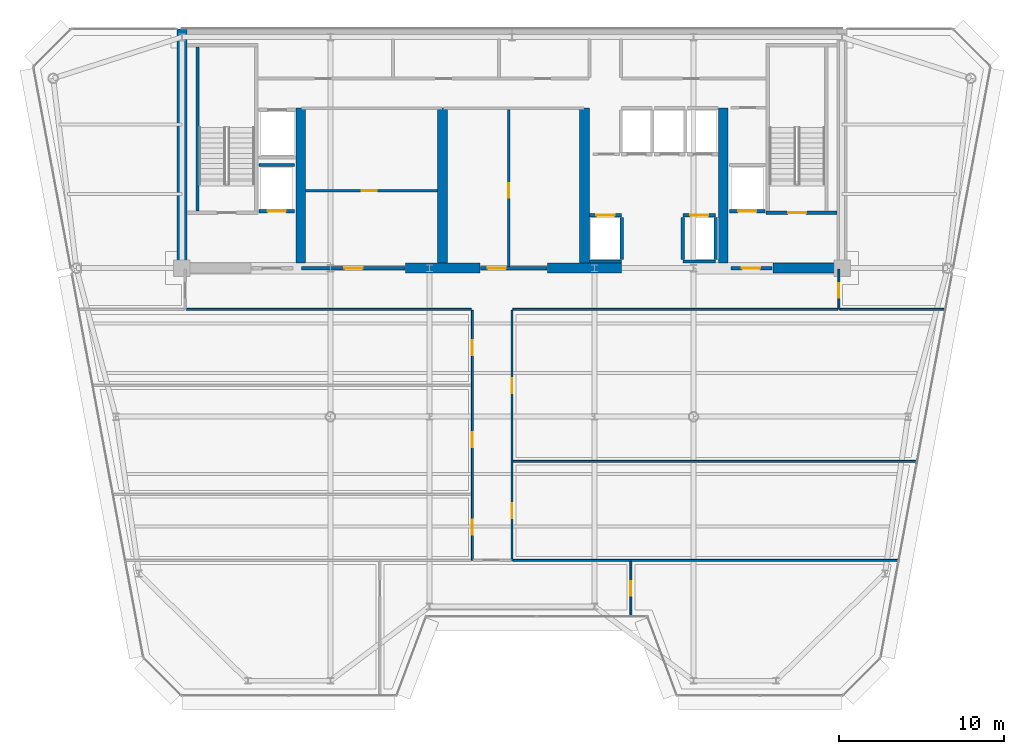
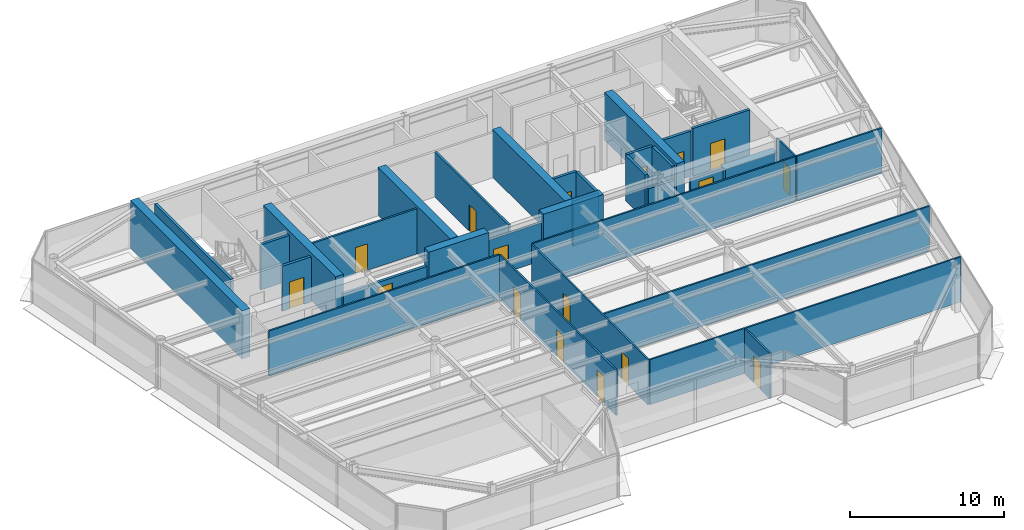
# One storey, part 10 of 18: 34 walls, 17 doors, 17 openings.
"""IFC4 building model written with IfcOpenShell, lengths in metres."""

from ifc_helpers import new_model, si_unit, direction, frame, frame_2d, origin, place, context, subcontext, project, spatial, rectangle, extrude, source, transform, mapped, material, layer, layer_set, type_object, element, fill, save


model = new_model("IFC4")

# Units and contexts
model_context = context("Model", 3, precision=1e-05, world=origin(), true_north=direction((0.0, 1.0)))
body_context = subcontext(model_context, "Body", "Model", "MODEL_VIEW")
ifc_project = project(units=[si_unit("LENGTHUNIT", "METRE"), si_unit("AREAUNIT", "SQUARE_METRE"), si_unit("VOLUMEUNIT", "CUBIC_METRE"), si_unit("PLANEANGLEUNIT", "RADIAN"), si_unit("MASSUNIT", "GRAM", prefix="KILO")], contexts=[model_context])

# Site, building, storey
site_placement = place(None, origin())
site = spatial("IfcSite", under=ifc_project, at=site_placement, CompositionType="ELEMENT")
building_placement = place(site_placement, origin())
building = spatial("IfcBuilding", under=site, at=building_placement, Name="Vaeldorn Concourse Tower", CompositionType="ELEMENT")
storey_placement = place(building_placement, frame((0.0, 0.0, 242.199951171875)))
storey = spatial("IfcBuildingStorey", under=building, at=storey_placement, Name="L62", CompositionType="ELEMENT", Elevation=242.199951171875)

# Walls
ifc_material_1 = material(Name="Concrete C50/60", Category="concrete")
ifc_layer_1 = layer(ifc_material_1, 0.60009765625)
ifc_layer_set_1 = layer_set([ifc_layer_1], Name="Concrete C50/60")
wall_type_1 = type_object("IfcWallType", Name="WL-CORE-600", PredefinedType="SHEAR", material=ifc_layer_set_1)
wall_1_placement = place(storey_placement, frame((14.0, 36.5, 0.0), z_axis=(0.0, 0.0, 1.0), x_axis=(0.0, 1.0, 0.0)))
element("IfcWall", 1, at=wall_1_placement, inside=storey, type_object=wall_type_1, Name="Rear Core Shear Wall L62 W1", PredefinedType="SHEAR", context=body_context, shape_type="SweptSolid", body=[
    extrude(rectangle(XDim=14.5, YDim=0.60009765625, at=frame_2d((7.25, 0.0))), origin(), (0.0, 0.0, 1.0), 3.800048828125),
])
for number, where, z_axis, x_axis, name in (
    (2, (27.550048828125, 36.5, 0.0), (0.0, 0.0, 1.0), (1.0, 0.0, 0.0), "Rear Core Shear Wall L62 S2"),
    (3, (36.14990234375, 36.5, 0.0), (0.0, 0.0, 1.0), (1.0, 0.0, 0.0), "Rear Core Shear Wall L62 S3"),
):
    element("IfcWall", number, at=place(storey_placement, frame(where, z_axis=z_axis, x_axis=x_axis)), inside=storey, type_object=wall_type_1, Name=name, PredefinedType="SHEAR", context=body_context, shape_type="SweptSolid", body=[
        extrude(rectangle(XDim=4.5, YDim=0.60009765625, at=frame_2d((2.25, 0.0))), origin(), (0.0, 0.0, 1.0), 3.800048828125),
    ])
wall_2_placement = place(storey_placement, frame((49.800048828125, 36.5, 0.0), z_axis=(0.0, 0.0, 1.0), x_axis=(1.0, 0.0, 0.0)))
element("IfcWall", 4, at=wall_2_placement, inside=storey, type_object=wall_type_1, Name="Rear Core Shear Wall L62 S4", PredefinedType="SHEAR", context=body_context, shape_type="SweptSolid", body=[
    extrude(rectangle(XDim=3.8798828125, YDim=0.60009765625, at=frame_2d((1.93994140625, 0.0))), origin(), (0.0, 0.0, 1.0), 2.580078125),
])
for number, where, z_axis, x_axis, name in (
    (5, (21.199951171875, 36.820068359375, 0.0), (0.0, 0.0, 1.0), (0.0, 1.0, 0.0), "Rear Core Shear Wall L62 M1"),
    (6, (29.800048828125, 36.820068359375, 0.0), (0.0, 0.0, 1.0), (0.0, 1.0, 0.0), "Rear Core Shear Wall L62 M2"),
    (7, (38.39990234375, 36.820068359375, 0.0), (0.0, 0.0, 1.0), (0.0, 1.0, 0.0), "Rear Core Shear Wall L62 M3"),
    (8, (46.800048828125, 36.820068359375, 0.0), (0.0, 0.0, 1.0), (0.0, 1.0, 0.0), "Rear Core Shear Wall L62 M4"),
):
    element("IfcWall", number, at=place(storey_placement, frame(where, z_axis=z_axis, x_axis=x_axis)), inside=storey, type_object=wall_type_1, Name=name, PredefinedType="SHEAR", context=body_context, shape_type="SweptSolid", body=[
        extrude(rectangle(XDim=9.3798828125, YDim=0.60009765625, at=frame_2d((4.68994140625, 0.0))), origin(), (0.0, 0.0, 1.0), 3.800048828125),
    ])
ifc_material_2 = material(Name="Gypsum Board Partition", Category="gypsum")
ifc_layer_2 = layer(ifc_material_2, 0.1201171875)
ifc_layer_set_2 = layer_set([ifc_layer_2], Name="Gypsum Board Partition")
wall_type_2 = type_object("IfcWallType", Name="WL-PART-120", PredefinedType="PARTITIONING", material=ifc_layer_set_2)
wall_3_placement = place(storey_placement, frame((14.260009765625, 34.0, 0.0), z_axis=(0.0, 0.0, 1.0), x_axis=(1.0, 0.0, 0.0)))
element("IfcWall", 9, at=wall_3_placement, inside=storey, type_object=wall_type_2, Name="Interior Wall PW-L62-C3SW", PredefinedType="PARTITIONING", context=body_context, shape_type="SweptSolid", body=[
    extrude(rectangle(XDim=17.280029296875, YDim=0.1201171875, at=frame_2d((8.64013671875, 0.0))), origin(), (0.0, 0.0, 1.0), 3.580078125),
])
wall_4_placement = place(storey_placement, frame((34.06005859375, 34.0, 0.0), z_axis=(0.0, 0.0, 1.0), x_axis=(1.0, 0.0, 0.0)))
element("IfcWall", 10, at=wall_4_placement, inside=storey, type_object=wall_type_2, Name="Interior Wall PW-L62-C3SE", PredefinedType="PARTITIONING", context=body_context, shape_type="SweptSolid", body=[
    extrude(rectangle(XDim=19.679931640625, YDim=0.1201171875, at=frame_2d((9.83984375, 0.0))), origin(), (0.0, 0.0, 1.0), 3.580078125),
])

# Wall, opening, door
wall_5_placement = place(storey_placement, frame((53.800048828125, 34.0, 0.0), z_axis=(0.0, 0.0, 1.0), x_axis=(0.0, 1.0, 0.0)))
wall_5 = element("IfcWall", 11, at=wall_5_placement, inside=storey, type_object=wall_type_2, Name="Interior Wall PW-L62-C3E", PredefinedType="PARTITIONING", context=body_context, shape_type="SweptSolid", body=[
    extrude(rectangle(XDim=2.43994140625, YDim=0.1201171875, at=frame_2d((1.219970703125, 0.0))), origin(), (0.0, 0.0, 1.0), 3.580078125),
])
opening_1_placement = place(wall_5_placement, frame((0.699951171875, 0.0, 0.0)))
opening_1 = element("IfcOpeningElement", 12, at=opening_1_placement, cuts=wall_5, Name="Opening D-03", PredefinedType="OPENING", context=body_context, shape_type="SweptSolid", body=[
    extrude(rectangle(XDim=0.89990234375, YDim=2.14990234375, at=frame_2d((0.449951171875, 1.074951171875))), frame((0.0, 0.070068359375, 0.0), z_axis=(0.0, -1.0, 0.0), x_axis=(1.0, 0.0, 0.0)), (0.0, 0.0, 1.0), 0.14013671875),
])
ifc_material_3 = material(Name="Acoustic Bronze-Framed Glass Door", Category="glass")
door_type_1 = type_object("IfcDoorType", Name="DR-INT-900", OperationType="NOTDEFINED", PredefinedType="DOOR", material=ifc_material_3)
shared_shape_1 = source(origin(), body_context, "Body", "SweptSolid", [
    extrude(rectangle(XDim=0.89990234375, YDim=2.14990234375, at=frame_2d((0.449951171875, 1.074951171875))), frame((0.0, 0.02490234375, 0.0), z_axis=(0.0, -1.0, 0.0), x_axis=(1.0, 0.0, 0.0)), (0.0, 0.0, 1.0), 0.050048828125),
])
door_1_placement = place(opening_1_placement, origin())
door_1 = element("IfcDoor", 13, at=door_1_placement, inside=storey, type_object=door_type_1, Name="Interior Door DR-L62-Z3NE", OperationType="SINGLE_SWING_RIGHT", OverallHeight=2.14990234375, OverallWidth=0.89990234375, PredefinedType="DOOR", context=body_context, shape_type="MappedRepresentation", body=[
    mapped(shared_shape_1, transform((0.0, 0.0, 0.0), scale=1.0)),
])
fill(opening_1, door_1)

# Wall, openings, doors
wall_6_placement = place(storey_placement, frame((31.60009765625, 18.800048828125, 0.0), z_axis=(0.0, 0.0, 1.0), x_axis=(0.0, 1.0, 0.0)))
wall_6 = element("IfcWall", 14, at=wall_6_placement, inside=storey, type_object=wall_type_2, Name="Interior Wall PW-L62-CSPW", PredefinedType="PARTITIONING", context=body_context, shape_type="SweptSolid", body=[
    extrude(rectangle(XDim=15.139892578125, YDim=0.1201171875, at=frame_2d((7.56982421875, 0.0))), origin(), (0.0, 0.0, 1.0), 3.580078125),
])
opening_2_placement = place(wall_6_placement, frame((1.550048828125, 0.0, 0.0)))
opening_2 = element("IfcOpeningElement", 15, at=opening_2_placement, cuts=wall_6, Name="Opening D-03", PredefinedType="OPENING", context=body_context, shape_type="SweptSolid", body=[
    extrude(rectangle(XDim=0.89990234375, YDim=2.14990234375, at=frame_2d((0.449951171875, 1.074951171875))), frame((0.0, 0.070068359375, 0.0), z_axis=(0.0, -1.0, 0.0), x_axis=(1.0, 0.0, 0.0)), (0.0, 0.0, 1.0), 0.14013671875),
])
opening_3_placement = place(wall_6_placement, frame((6.85009765625, 0.0, 0.0)))
opening_3 = element("IfcOpeningElement", 16, at=opening_3_placement, cuts=wall_6, Name="Opening D-03", PredefinedType="OPENING", context=body_context, shape_type="SweptSolid", body=[
    extrude(rectangle(XDim=0.89990234375, YDim=2.14990234375, at=frame_2d((0.449951171875, 1.074951171875))), frame((0.0, 0.070068359375, 0.0), z_axis=(0.0, -1.0, 0.0), x_axis=(1.0, 0.0, 0.0)), (0.0, 0.0, 1.0), 0.14013671875),
])
opening_4_placement = place(wall_6_placement, frame((12.419921875, 0.0, 0.0)))
opening_4 = element("IfcOpeningElement", 17, at=opening_4_placement, cuts=wall_6, Name="Opening D-03", PredefinedType="OPENING", context=body_context, shape_type="SweptSolid", body=[
    extrude(rectangle(XDim=0.89990234375, YDim=2.14990234375, at=frame_2d((0.449951171875, 1.074951171875))), frame((0.0, 0.070068359375, 0.0), z_axis=(0.0, -1.0, 0.0), x_axis=(1.0, 0.0, 0.0)), (0.0, 0.0, 1.0), 0.14013671875),
])
door_2_placement = place(opening_2_placement, origin())
door_2 = element("IfcDoor", 18, at=door_2_placement, inside=storey, type_object=door_type_1, Name="Interior Door DR-L62-Z3W1", OperationType="SINGLE_SWING_LEFT", OverallHeight=2.14990234375, OverallWidth=0.89990234375, PredefinedType="DOOR", context=body_context, shape_type="MappedRepresentation", body=[
    mapped(shared_shape_1, transform((0.0, 0.0, 0.0), scale=1.0)),
])
fill(opening_2, door_2)
door_3_placement = place(opening_3_placement, origin())
door_3 = element("IfcDoor", 19, at=door_3_placement, inside=storey, type_object=door_type_1, Name="Interior Door DR-L62-Z3W2", OperationType="SINGLE_SWING_RIGHT", OverallHeight=2.14990234375, OverallWidth=0.89990234375, PredefinedType="DOOR", context=body_context, shape_type="MappedRepresentation", body=[
    mapped(shared_shape_1, transform((0.0, 0.0, 0.0), scale=1.0)),
])
fill(opening_3, door_3)
door_4_placement = place(opening_4_placement, origin())
door_4 = element("IfcDoor", 20, at=door_4_placement, inside=storey, type_object=door_type_1, Name="Interior Door DR-L62-Z3W3", OperationType="SINGLE_SWING_LEFT", OverallHeight=2.14990234375, OverallWidth=0.89990234375, PredefinedType="DOOR", context=body_context, shape_type="MappedRepresentation", body=[
    mapped(shared_shape_1, transform((0.0, 0.0, 0.0), scale=1.0)),
])
fill(opening_4, door_4)

wall_7_placement = place(storey_placement, frame((34.0, 18.800048828125, 0.0), z_axis=(0.0, 0.0, 1.0), x_axis=(0.0, 1.0, 0.0)))
wall_7 = element("IfcWall", 21, at=wall_7_placement, inside=storey, type_object=wall_type_2, Name="Interior Wall PW-L62-CSPE", PredefinedType="PARTITIONING", context=body_context, shape_type="SweptSolid", body=[
    extrude(rectangle(XDim=15.139892578125, YDim=0.1201171875, at=frame_2d((7.56982421875, 0.0))), origin(), (0.0, 0.0, 1.0), 3.580078125),
])
opening_5_placement = place(wall_7_placement, frame((2.550048828125, 0.0, 0.0)))
opening_5 = element("IfcOpeningElement", 22, at=opening_5_placement, cuts=wall_7, Name="Opening D-03", PredefinedType="OPENING", context=body_context, shape_type="SweptSolid", body=[
    extrude(rectangle(XDim=0.89990234375, YDim=2.14990234375, at=frame_2d((0.449951171875, 1.074951171875))), frame((0.0, 0.070068359375, 0.0), z_axis=(0.0, -1.0, 0.0), x_axis=(1.0, 0.0, 0.0)), (0.0, 0.0, 1.0), 0.14013671875),
])
opening_6_placement = place(wall_7_placement, frame((10.1201171875, 0.0, 0.0)))
opening_6 = element("IfcOpeningElement", 23, at=opening_6_placement, cuts=wall_7, Name="Opening D-03", PredefinedType="OPENING", context=body_context, shape_type="SweptSolid", body=[
    extrude(rectangle(XDim=0.89990234375, YDim=2.14990234375, at=frame_2d((0.449951171875, 1.074951171875))), frame((0.0, 0.070068359375, 0.0), z_axis=(0.0, -1.0, 0.0), x_axis=(1.0, 0.0, 0.0)), (0.0, 0.0, 1.0), 0.14013671875),
])
door_5_placement = place(opening_5_placement, origin())
door_5 = element("IfcDoor", 24, at=door_5_placement, inside=storey, type_object=door_type_1, Name="Interior Door DR-L62-Z3E1", OperationType="SINGLE_SWING_RIGHT", OverallHeight=2.14990234375, OverallWidth=0.89990234375, PredefinedType="DOOR", context=body_context, shape_type="MappedRepresentation", body=[
    mapped(shared_shape_1, transform((0.0, 0.0, 0.0), scale=1.0)),
])
fill(opening_5, door_5)
door_6_placement = place(opening_6_placement, origin())
door_6 = element("IfcDoor", 25, at=door_6_placement, inside=storey, type_object=door_type_1, Name="Interior Door DR-L62-Z3E2", OperationType="SINGLE_SWING_LEFT", OverallHeight=2.14990234375, OverallWidth=0.89990234375, PredefinedType="DOOR", context=body_context, shape_type="MappedRepresentation", body=[
    mapped(shared_shape_1, transform((0.0, 0.0, 0.0), scale=1.0)),
])
fill(opening_6, door_6)

# Walls
wall_8_placement = place(storey_placement, frame((53.860107421875, 34.0, 0.0), z_axis=(0.0, 0.0, 1.0), x_axis=(1.0, 0.0, 0.0)))
element("IfcWall", 26, at=wall_8_placement, inside=storey, type_object=wall_type_2, Name="Interior Wall PW-L62-Z3NEB", PredefinedType="PARTITIONING", context=body_context, shape_type="SweptSolid", body=[
    extrude(rectangle(XDim=6.36279296875, YDim=0.1201171875, at=frame_2d((3.181396484375, 0.0))), origin(), (0.0, 0.0, 1.0), 3.580078125),
])
wall_9_placement = place(storey_placement, frame((34.06005859375, 24.800048828125, 0.0), z_axis=(0.0, 0.0, 1.0), x_axis=(1.0, 0.0, 0.0)))
element("IfcWall", 27, at=wall_9_placement, inside=storey, type_object=wall_type_2, Name="Interior Wall PW-L62-Z3EY1", PredefinedType="PARTITIONING", context=body_context, shape_type="SweptSolid", body=[
    extrude(rectangle(XDim=24.44970703125, YDim=0.1201171875, at=frame_2d((12.224853515625, 0.0))), origin(), (0.0, 0.0, 1.0), 3.580078125),
])
wall_10_placement = place(storey_placement, frame((34.06005859375, 18.800048828125, 0.0), z_axis=(0.0, 0.0, 1.0), x_axis=(1.0, 0.0, 0.0)))
element("IfcWall", 28, at=wall_10_placement, inside=storey, type_object=wall_type_2, Name="Interior Wall PW-L62-Z3SEL", PredefinedType="PARTITIONING", context=body_context, shape_type="SweptSolid", body=[
    extrude(rectangle(XDim=23.33251953125, YDim=0.1201171875, at=frame_2d((11.666259765625, 0.0))), origin(), (0.0, 0.0, 1.0), 3.580078125),
])

# Wall, opening, door
wall_11_placement = place(storey_placement, frame((41.199951171875, 15.43994140625, 0.0), z_axis=(0.0, 0.0, 1.0), x_axis=(0.0, 1.0, 0.0)))
wall_11 = element("IfcWall", 29, at=wall_11_placement, inside=storey, type_object=wall_type_2, Name="Interior Wall PW-L62-Z3SX2", PredefinedType="PARTITIONING", context=body_context, shape_type="SweptSolid", body=[
    extrude(rectangle(XDim=3.300048828125, YDim=0.1201171875, at=frame_2d((1.64990234375, 0.0))), origin(), (0.0, 0.0, 1.0), 3.580078125),
])
opening_7_placement = place(wall_11_placement, frame((1.199951171875, 0.0, 0.0)))
opening_7 = element("IfcOpeningElement", 30, at=opening_7_placement, cuts=wall_11, Name="Opening D-03", PredefinedType="OPENING", context=body_context, shape_type="SweptSolid", body=[
    extrude(rectangle(XDim=0.89990234375, YDim=2.14990234375, at=frame_2d((0.449951171875, 1.074951171875))), frame((0.0, 0.070068359375, 0.0), z_axis=(0.0, -1.0, 0.0), x_axis=(1.0, 0.0, 0.0)), (0.0, 0.0, 1.0), 0.14013671875),
])
door_7_placement = place(opening_7_placement, origin())
door_7 = element("IfcDoor", 31, at=door_7_placement, inside=storey, type_object=door_type_1, Name="Interior Door DR-L62-Z3SX2", OperationType="SINGLE_SWING_LEFT", OverallHeight=2.14990234375, OverallWidth=0.89990234375, PredefinedType="DOOR", context=body_context, shape_type="MappedRepresentation", body=[
    mapped(shared_shape_1, transform((0.0, 0.0, 0.0), scale=1.0)),
])
fill(opening_7, door_7)

ifc_layer_3 = layer(ifc_material_2, 0.14990234375)
ifc_layer_set_3 = layer_set([ifc_layer_3], Name="Gypsum Board Partition")
wall_type_3 = type_object("IfcWallType", Name="WL-PART-150", PredefinedType="PARTITIONING", material=ifc_layer_set_3)
wall_12_placement = place(storey_placement, frame((21.5, 41.199951171875, 0.0), z_axis=(0.0, 0.0, 1.0), x_axis=(1.0, 0.0, 0.0)))
wall_12 = element("IfcWall", 32, at=wall_12_placement, inside=storey, type_object=wall_type_3, Name="Interior Wall CW-L62-R1M", PredefinedType="PARTITIONING", context=body_context, shape_type="SweptSolid", body=[
    extrude(rectangle(XDim=8.0, YDim=0.14990234375, at=frame_2d((4.0, 0.0))), origin(), (0.0, 0.0, 1.0), 3.580078125),
])
opening_8_placement = place(wall_12_placement, frame((3.39990234375, 0.0, 0.0)))
opening_8 = element("IfcOpeningElement", 33, at=opening_8_placement, cuts=wall_12, Name="Opening D-02", PredefinedType="OPENING", context=body_context, shape_type="SweptSolid", body=[
    extrude(rectangle(XDim=0.89990234375, YDim=2.10009765625, at=frame_2d((0.449951171875, 1.050048828125))), frame((0.0, 0.0849609375, 0.0), z_axis=(0.0, -1.0, 0.0), x_axis=(1.0, 0.0, 0.0)), (0.0, 0.0, 1.0), 0.169921875),
])
ifc_material_4 = material(Name="Fire-Rated Timber Leaf", Category="wood")
door_type_2 = type_object("IfcDoorType", Name="DR-FD30-900", OperationType="NOTDEFINED", PredefinedType="DOOR", material=ifc_material_4)
shared_shape_2 = source(origin(), body_context, "Body", "SweptSolid", [
    extrude(rectangle(XDim=0.89990234375, YDim=2.10009765625, at=frame_2d((0.449951171875, 1.050048828125))), frame((0.0, 0.02490234375, 0.0), z_axis=(0.0, -1.0, 0.0), x_axis=(1.0, 0.0, 0.0)), (0.0, 0.0, 1.0), 0.050048828125),
])
door_8_placement = place(opening_8_placement, origin())
door_8 = element("IfcDoor", 34, at=door_8_placement, inside=storey, type_object=door_type_2, Name="Interior Door DR-L62-R1M", OperationType="SINGLE_SWING_RIGHT", OverallHeight=2.10009765625, OverallWidth=0.89990234375, PredefinedType="DOOR", context=body_context, shape_type="MappedRepresentation", body=[
    mapped(shared_shape_2, transform((0.0, 0.0, 0.0), scale=1.0)),
])
fill(opening_8, door_8)

wall_13_placement = place(storey_placement, frame((33.800048828125, 36.56005859375, 0.0), z_axis=(0.0, 0.0, 1.0), x_axis=(0.0, 1.0, 0.0)))
wall_13 = element("IfcWall", 35, at=wall_13_placement, inside=storey, type_object=wall_type_3, Name="Interior Wall CW-L62-R2M", PredefinedType="PARTITIONING", context=body_context, shape_type="SweptSolid", body=[
    extrude(rectangle(XDim=9.579833984375, YDim=0.14990234375, at=frame_2d((4.7900390625, 0.0))), origin(), (0.0, 0.0, 1.0), 3.580078125),
])
opening_9_placement = place(wall_13_placement, frame((4.199951171875, 0.0, 0.0)))
opening_9 = element("IfcOpeningElement", 36, at=opening_9_placement, cuts=wall_13, Name="Opening D-02", PredefinedType="OPENING", context=body_context, shape_type="SweptSolid", body=[
    extrude(rectangle(XDim=0.89990234375, YDim=2.10009765625, at=frame_2d((0.449951171875, 1.050048828125))), frame((0.0, 0.0849609375, 0.0), z_axis=(0.0, -1.0, 0.0), x_axis=(1.0, 0.0, 0.0)), (0.0, 0.0, 1.0), 0.169921875),
])
door_9_placement = place(opening_9_placement, origin())
door_9 = element("IfcDoor", 37, at=door_9_placement, inside=storey, type_object=door_type_2, Name="Interior Door DR-L62-R2E", OperationType="SINGLE_SWING_RIGHT", OverallHeight=2.10009765625, OverallWidth=0.89990234375, PredefinedType="DOOR", context=body_context, shape_type="MappedRepresentation", body=[
    mapped(shared_shape_2, transform((0.0, 0.0, 0.0), scale=1.0)),
])
fill(opening_9, door_9)

# Wall
ifc_layer_4 = layer(ifc_material_1, 0.199951171875)
ifc_layer_set_4 = layer_set([ifc_layer_4], Name="Concrete C50/60")
wall_type_4 = type_object("IfcWallType", Name="WL-SHAFT-200", PredefinedType="SOLIDWALL", material=ifc_layer_set_4)
wall_14_placement = place(storey_placement, frame((14.949951171875, 39.9599609375, 0.0), z_axis=(0.0, 0.0, 1.0), x_axis=(0.0, 1.0, 0.0)))
element("IfcWall", 38, at=wall_14_placement, inside=storey, type_object=wall_type_4, Name="Stair Shaft Wall CW-L62-ST-1-W", PredefinedType="SOLIDWALL", context=body_context, shape_type="SweptSolid", body=[
    extrude(rectangle(XDim=9.929931640625, YDim=0.199951171875, at=frame_2d((4.96484375, 0.0))), origin(), (0.0, 0.0, 1.0), 3.800048828125),
])

# Wall, opening, door
wall_15_placement = place(storey_placement, frame((49.39990234375, 39.85009765625, 0.0), z_axis=(0.0, 0.0, 1.0), x_axis=(1.0, 0.0, 0.0)))
wall_15 = element("IfcWall", 39, at=wall_15_placement, inside=storey, type_object=wall_type_4, Name="Stair Shaft Wall CW-L62-ST-2-S", PredefinedType="SOLIDWALL", context=body_context, shape_type="SweptSolid", body=[
    extrude(rectangle(XDim=4.300048828125, YDim=0.199951171875, at=frame_2d((2.14990234375, 0.0))), origin(), (0.0, 0.0, 1.0), 3.800048828125),
])
opening_10_placement = place(wall_15_placement, frame((1.324951171875, 0.0, 0.0)))
opening_10 = element("IfcOpeningElement", 40, at=opening_10_placement, cuts=wall_15, Name="Opening D-01", PredefinedType="OPENING", context=body_context, shape_type="SweptSolid", body=[
    extrude(rectangle(XDim=1.10009765625, YDim=2.14990234375, at=frame_2d((0.550048828125, 1.074951171875))), frame((0.0, 0.10986328125, 0.0), z_axis=(0.0, -1.0, 0.0), x_axis=(1.0, 0.0, 0.0)), (0.0, 0.0, 1.0), 0.219970703125),
])
ifc_material_5 = material(Name="Fire-Rated Timber and Steel Leaf", Category="steel")
door_type_3 = type_object("IfcDoorType", Name="DR-FD60-1100", OperationType="NOTDEFINED", PredefinedType="DOOR", material=ifc_material_5)
shared_shape_3 = source(origin(), body_context, "Body", "SweptSolid", [
    extrude(rectangle(XDim=1.10009765625, YDim=2.14990234375, at=frame_2d((0.550048828125, 1.074951171875))), frame((0.0, 0.02490234375, 0.0), z_axis=(0.0, -1.0, 0.0), x_axis=(1.0, 0.0, 0.0)), (0.0, 0.0, 1.0), 0.050048828125),
])
door_10_placement = place(opening_10_placement, origin())
door_10 = element("IfcDoor", 41, at=door_10_placement, inside=storey, type_object=door_type_3, Name="Interior Door DR-L62-ST-2", OperationType="SINGLE_SWING_RIGHT", OverallHeight=2.14990234375, OverallWidth=1.10009765625, PredefinedType="DOOR", context=body_context, shape_type="MappedRepresentation", body=[
    mapped(shared_shape_3, transform((0.0, 0.0, 0.0), scale=1.0)),
])
fill(opening_10, door_10)

wall_16_placement = place(storey_placement, frame((47.280029296875, 36.5, 0.0), z_axis=(0.0, 0.0, 1.0), x_axis=(1.0, 0.0, 0.0)))
wall_16 = element("IfcWall", 42, at=wall_16_placement, inside=storey, type_object=wall_type_4, Name="Interior Wall CW-L62-FF2S", PredefinedType="SOLIDWALL", context=body_context, shape_type="SweptSolid", body=[
    extrude(rectangle(XDim=2.469970703125, YDim=0.199951171875, at=frame_2d((1.23486328125, 0.0))), origin(), (0.0, 0.0, 1.0), 2.570068359375),
])
opening_11_placement = place(wall_16_placement, frame((0.64990234375, 0.0, 0.0)))
opening_11 = element("IfcOpeningElement", 43, at=opening_11_placement, cuts=wall_16, Name="Opening D-01", PredefinedType="OPENING", context=body_context, shape_type="SweptSolid", body=[
    extrude(rectangle(XDim=1.10009765625, YDim=2.14990234375, at=frame_2d((0.550048828125, 1.074951171875))), frame((0.0, 0.10986328125, 0.0), z_axis=(0.0, -1.0, 0.0), x_axis=(1.0, 0.0, 0.0)), (0.0, 0.0, 1.0), 0.219970703125),
])
door_11_placement = place(opening_11_placement, origin())
door_11 = element("IfcDoor", 44, at=door_11_placement, inside=storey, type_object=door_type_3, Name="Interior Door DR-L62-FF2W", OperationType="SINGLE_SWING_LEFT", OverallHeight=2.14990234375, OverallWidth=1.10009765625, PredefinedType="DOOR", context=body_context, shape_type="MappedRepresentation", body=[
    mapped(shared_shape_3, transform((0.0, 0.0, 0.0), scale=1.0)),
])
fill(opening_11, door_11)

wall_17_placement = place(storey_placement, frame((38.7099609375, 39.699951171875, 0.0), z_axis=(0.0, 0.0, 1.0), x_axis=(1.0, 0.0, 0.0)))
wall_17 = element("IfcWall", 45, at=wall_17_placement, inside=storey, type_object=wall_type_4, Name="Interior Wall CW-L62-LF-LF-13", PredefinedType="SOLIDWALL", context=body_context, shape_type="SweptSolid", body=[
    extrude(rectangle(XDim=1.919921875, YDim=0.199951171875, at=frame_2d((0.9599609375, 0.0))), origin(), (0.0, 0.0, 1.0), 3.580078125),
])
opening_12_placement = place(wall_17_placement, frame((0.409912109375, 0.0, 0.0)))
opening_12 = element("IfcOpeningElement", 46, at=opening_12_placement, cuts=wall_17, Name="Opening LD-1", PredefinedType="OPENING", context=body_context, shape_type="SweptSolid", body=[
    extrude(rectangle(XDim=1.10009765625, YDim=2.14990234375, at=frame_2d((0.550048828125, 1.074951171875))), frame((0.0, 0.10986328125, 0.0), z_axis=(0.0, -1.0, 0.0), x_axis=(1.0, 0.0, 0.0)), (0.0, 0.0, 1.0), 0.219970703125),
])
ifc_material_6 = material(Name="Anodised Bronze Aluminium", Category="aluminium")
door_type_4 = type_object("IfcDoorType", Name="DR-LIFT-SLIDE-1100", OperationType="DOUBLE_DOOR_SLIDING", PredefinedType="DOOR", material=ifc_material_6)
door_12_placement = place(opening_12_placement, origin())
door_12 = element("IfcDoor", 47, at=door_12_placement, inside=storey, type_object=door_type_4, Name="Lift Landing Door LD-L62-LF-13", OperationType="DOUBLE_DOOR_SLIDING", OverallHeight=2.14990234375, OverallWidth=1.10009765625, PredefinedType="DOOR", context=body_context, shape_type="MappedRepresentation", body=[
    mapped(shared_shape_3, transform((0.0, 0.0, 0.0), scale=1.0)),
])
fill(opening_12, door_12)

# Walls
wall_18_placement = place(storey_placement, frame((38.7099609375, 36.89990234375, 0.0), z_axis=(0.0, 0.0, 1.0), x_axis=(1.0, 0.0, 0.0)))
element("IfcWall", 48, at=wall_18_placement, inside=storey, type_object=wall_type_4, Name="Interior Wall CW-L62-LFB-LF-13", PredefinedType="SOLIDWALL", context=body_context, shape_type="SweptSolid", body=[
    extrude(rectangle(XDim=1.919921875, YDim=0.199951171875, at=frame_2d((0.9599609375, 0.0))), origin(), (0.0, 0.0, 1.0), 3.580078125),
])
wall_19_placement = place(storey_placement, frame((40.64990234375, 37.02001953125, 0.0), z_axis=(0.0, 0.0, 1.0), x_axis=(0.0, 1.0, 0.0)))
element("IfcWall", 49, at=wall_19_placement, inside=storey, type_object=wall_type_4, Name="Interior Wall CW-L62-LFE-LF-13", PredefinedType="SOLIDWALL", context=body_context, shape_type="SweptSolid", body=[
    extrude(rectangle(XDim=2.56005859375, YDim=0.199951171875, at=frame_2d((1.280029296875, 0.0))), origin(), (0.0, 0.0, 1.0), 3.580078125),
])

# Wall, opening, door
wall_20_placement = place(storey_placement, frame((44.3701171875, 39.699951171875, 0.0), z_axis=(0.0, 0.0, 1.0), x_axis=(1.0, 0.0, 0.0)))
wall_20 = element("IfcWall", 50, at=wall_20_placement, inside=storey, type_object=wall_type_4, Name="Interior Wall CW-L62-LF-LF-14", PredefinedType="SOLIDWALL", context=body_context, shape_type="SweptSolid", body=[
    extrude(rectangle(XDim=1.9599609375, YDim=0.199951171875, at=frame_2d((0.97998046875, 0.0))), origin(), (0.0, 0.0, 1.0), 3.580078125),
])
opening_13_placement = place(wall_20_placement, frame((0.429931640625, 0.0, 0.0)))
opening_13 = element("IfcOpeningElement", 51, at=opening_13_placement, cuts=wall_20, Name="Opening LD-1", PredefinedType="OPENING", context=body_context, shape_type="SweptSolid", body=[
    extrude(rectangle(XDim=1.10009765625, YDim=2.14990234375, at=frame_2d((0.550048828125, 1.074951171875))), frame((0.0, 0.10986328125, 0.0), z_axis=(0.0, -1.0, 0.0), x_axis=(1.0, 0.0, 0.0)), (0.0, 0.0, 1.0), 0.219970703125),
])
door_13_placement = place(opening_13_placement, origin())
door_13 = element("IfcDoor", 52, at=door_13_placement, inside=storey, type_object=door_type_4, Name="Lift Landing Door LD-L62-LF-14", OperationType="DOUBLE_DOOR_SLIDING", OverallHeight=2.14990234375, OverallWidth=1.10009765625, PredefinedType="DOOR", context=body_context, shape_type="MappedRepresentation", body=[
    mapped(shared_shape_3, transform((0.0, 0.0, 0.0), scale=1.0)),
])
fill(opening_13, door_13)

# Walls
wall_21_placement = place(storey_placement, frame((44.3701171875, 36.89990234375, 0.0), z_axis=(0.0, 0.0, 1.0), x_axis=(1.0, 0.0, 0.0)))
element("IfcWall", 53, at=wall_21_placement, inside=storey, type_object=wall_type_4, Name="Interior Wall CW-L62-LFB-LF-14", PredefinedType="SOLIDWALL", context=body_context, shape_type="SweptSolid", body=[
    extrude(rectangle(XDim=1.9599609375, YDim=0.199951171875, at=frame_2d((0.97998046875, 0.0))), origin(), (0.0, 0.0, 1.0), 2.570068359375),
])
for number, where, z_axis, x_axis, name in (
    (54, (44.35009765625, 37.02001953125, 0.0), (0.0, 0.0, 1.0), (0.0, 1.0, 0.0), "Interior Wall CW-L62-LFW-LF-14"),
    (55, (46.35009765625, 37.02001953125, 0.0), (0.0, 0.0, 1.0), (0.0, 1.0, 0.0), "Interior Wall CW-L62-LFE-LF-14"),
):
    element("IfcWall", number, at=place(storey_placement, frame(where, z_axis=z_axis, x_axis=x_axis)), inside=storey, type_object=wall_type_4, Name=name, PredefinedType="SOLIDWALL", context=body_context, shape_type="SweptSolid", body=[
        extrude(rectangle(XDim=2.56005859375, YDim=0.199951171875, at=frame_2d((1.280029296875, 0.0))), origin(), (0.0, 0.0, 1.0), 3.580078125),
    ])

# Wall, opening, door
wall_22_placement = place(storey_placement, frame((18.669921875, 39.949951171875, 0.0), z_axis=(0.0, 0.0, 1.0), x_axis=(1.0, 0.0, 0.0)))
wall_22 = element("IfcWall", 56, at=wall_22_placement, inside=storey, type_object=wall_type_4, Name="Interior Wall CW-L62-LF-LF-FF1", PredefinedType="SOLIDWALL", context=body_context, shape_type="SweptSolid", body=[
    extrude(rectangle(XDim=2.16015625, YDim=0.199951171875, at=frame_2d((1.080078125, 0.0))), origin(), (0.0, 0.0, 1.0), 3.580078125),
])
opening_14_placement = place(wall_22_placement, frame((0.530029296875, 0.0, 0.0)))
opening_14 = element("IfcOpeningElement", 57, at=opening_14_placement, cuts=wall_22, Name="Opening LD-1", PredefinedType="OPENING", context=body_context, shape_type="SweptSolid", body=[
    extrude(rectangle(XDim=1.10009765625, YDim=2.14990234375, at=frame_2d((0.550048828125, 1.074951171875))), frame((0.0, 0.10986328125, 0.0), z_axis=(0.0, -1.0, 0.0), x_axis=(1.0, 0.0, 0.0)), (0.0, 0.0, 1.0), 0.219970703125),
])
door_14_placement = place(opening_14_placement, origin())
door_14 = element("IfcDoor", 58, at=door_14_placement, inside=storey, type_object=door_type_4, Name="Lift Landing Door LD-L62-LF-FF1", OperationType="DOUBLE_DOOR_SLIDING", OverallHeight=2.14990234375, OverallWidth=1.10009765625, PredefinedType="DOOR", context=body_context, shape_type="MappedRepresentation", body=[
    mapped(shared_shape_3, transform((0.0, 0.0, 0.0), scale=1.0)),
])
fill(opening_14, door_14)

# Wall
wall_23_placement = place(storey_placement, frame((18.669921875, 42.75, 0.0), z_axis=(0.0, 0.0, 1.0), x_axis=(1.0, 0.0, 0.0)))
element("IfcWall", 59, at=wall_23_placement, inside=storey, type_object=wall_type_4, Name="Interior Wall CW-L62-LFB-LF-FF1", PredefinedType="SOLIDWALL", context=body_context, shape_type="SweptSolid", body=[
    extrude(rectangle(XDim=2.16015625, YDim=0.199951171875, at=frame_2d((1.080078125, 0.0))), origin(), (0.0, 0.0, 1.0), 3.580078125),
])

# Wall, opening, door
wall_24_placement = place(storey_placement, frame((47.169921875, 39.949951171875, 0.0), z_axis=(0.0, 0.0, 1.0), x_axis=(1.0, 0.0, 0.0)))
wall_24 = element("IfcWall", 60, at=wall_24_placement, inside=storey, type_object=wall_type_4, Name="Interior Wall CW-L62-LF-LF-FF2", PredefinedType="SOLIDWALL", context=body_context, shape_type="SweptSolid", body=[
    extrude(rectangle(XDim=2.16015625, YDim=0.199951171875, at=frame_2d((1.080078125, 0.0))), origin(), (0.0, 0.0, 1.0), 3.580078125),
])
opening_15_placement = place(wall_24_placement, frame((0.530029296875, 0.0, 0.0)))
opening_15 = element("IfcOpeningElement", 61, at=opening_15_placement, cuts=wall_24, Name="Opening LD-1", PredefinedType="OPENING", context=body_context, shape_type="SweptSolid", body=[
    extrude(rectangle(XDim=1.10009765625, YDim=2.14990234375, at=frame_2d((0.550048828125, 1.074951171875))), frame((0.0, 0.10986328125, 0.0), z_axis=(0.0, -1.0, 0.0), x_axis=(1.0, 0.0, 0.0)), (0.0, 0.0, 1.0), 0.219970703125),
])
door_15_placement = place(opening_15_placement, origin())
door_15 = element("IfcDoor", 62, at=door_15_placement, inside=storey, type_object=door_type_4, Name="Lift Landing Door LD-L62-LF-FF2", OperationType="DOUBLE_DOOR_SLIDING", OverallHeight=2.14990234375, OverallWidth=1.10009765625, PredefinedType="DOOR", context=body_context, shape_type="MappedRepresentation", body=[
    mapped(shared_shape_3, transform((0.0, 0.0, 0.0), scale=1.0)),
])
fill(opening_15, door_15)

wall_25_placement = place(storey_placement, frame((21.25, 36.5, 0.0), z_axis=(0.0, 0.0, 1.0), x_axis=(1.0, 0.0, 0.0)))
wall_25 = element("IfcWall", 63, at=wall_25_placement, inside=storey, type_object=wall_type_4, Name="Interior Wall CW-L62-R1S", PredefinedType="SOLIDWALL", context=body_context, shape_type="SweptSolid", body=[
    extrude(rectangle(XDim=6.27001953125, YDim=0.199951171875, at=frame_2d((3.135009765625, 0.0))), origin(), (0.0, 0.0, 1.0), 2.570068359375),
])
opening_16_placement = place(wall_25_placement, frame((2.60009765625, 0.0, 0.0)))
opening_16 = element("IfcOpeningElement", 64, at=opening_16_placement, cuts=wall_25, Name="Opening D-01", PredefinedType="OPENING", context=body_context, shape_type="SweptSolid", body=[
    extrude(rectangle(XDim=1.10009765625, YDim=2.14990234375, at=frame_2d((0.550048828125, 1.074951171875))), frame((0.0, 0.10986328125, 0.0), z_axis=(0.0, -1.0, 0.0), x_axis=(1.0, 0.0, 0.0)), (0.0, 0.0, 1.0), 0.219970703125),
])
door_16_placement = place(opening_16_placement, origin())
door_16 = element("IfcDoor", 65, at=door_16_placement, inside=storey, type_object=door_type_3, Name="Interior Door DR-L62-R1S", OperationType="SINGLE_SWING_LEFT", OverallHeight=2.14990234375, OverallWidth=1.10009765625, PredefinedType="DOOR", context=body_context, shape_type="MappedRepresentation", body=[
    mapped(shared_shape_3, transform((0.0, 0.0, 0.0), scale=1.0)),
])
fill(opening_16, door_16)

wall_26_placement = place(storey_placement, frame((32.080078125, 36.5, 0.0), z_axis=(0.0, 0.0, 1.0), x_axis=(1.0, 0.0, 0.0)))
wall_26 = element("IfcWall", 66, at=wall_26_placement, inside=storey, type_object=wall_type_4, Name="Interior Wall CW-L62-R2S", PredefinedType="SOLIDWALL", context=body_context, shape_type="SweptSolid", body=[
    extrude(rectangle(XDim=4.0400390625, YDim=0.199951171875, at=frame_2d((2.02001953125, 0.0))), origin(), (0.0, 0.0, 1.0), 3.02001953125),
])
opening_17_placement = place(wall_26_placement, frame((0.449951171875, 0.0, 0.0)))
opening_17 = element("IfcOpeningElement", 67, at=opening_17_placement, cuts=wall_26, Name="Opening D-01", PredefinedType="OPENING", context=body_context, shape_type="SweptSolid", body=[
    extrude(rectangle(XDim=1.10009765625, YDim=2.14990234375, at=frame_2d((0.550048828125, 1.074951171875))), frame((0.0, 0.10986328125, 0.0), z_axis=(0.0, -1.0, 0.0), x_axis=(1.0, 0.0, 0.0)), (0.0, 0.0, 1.0), 0.219970703125),
])
door_17_placement = place(opening_17_placement, origin())
door_17 = element("IfcDoor", 68, at=door_17_placement, inside=storey, type_object=door_type_3, Name="Interior Door DR-L62-R2W", OperationType="SINGLE_SWING_LEFT", OverallHeight=2.14990234375, OverallWidth=1.10009765625, PredefinedType="DOOR", context=body_context, shape_type="MappedRepresentation", body=[
    mapped(shared_shape_3, transform((0.0, 0.0, 0.0), scale=1.0)),
])
fill(opening_17, door_17)

save(model, "model.ifc")
